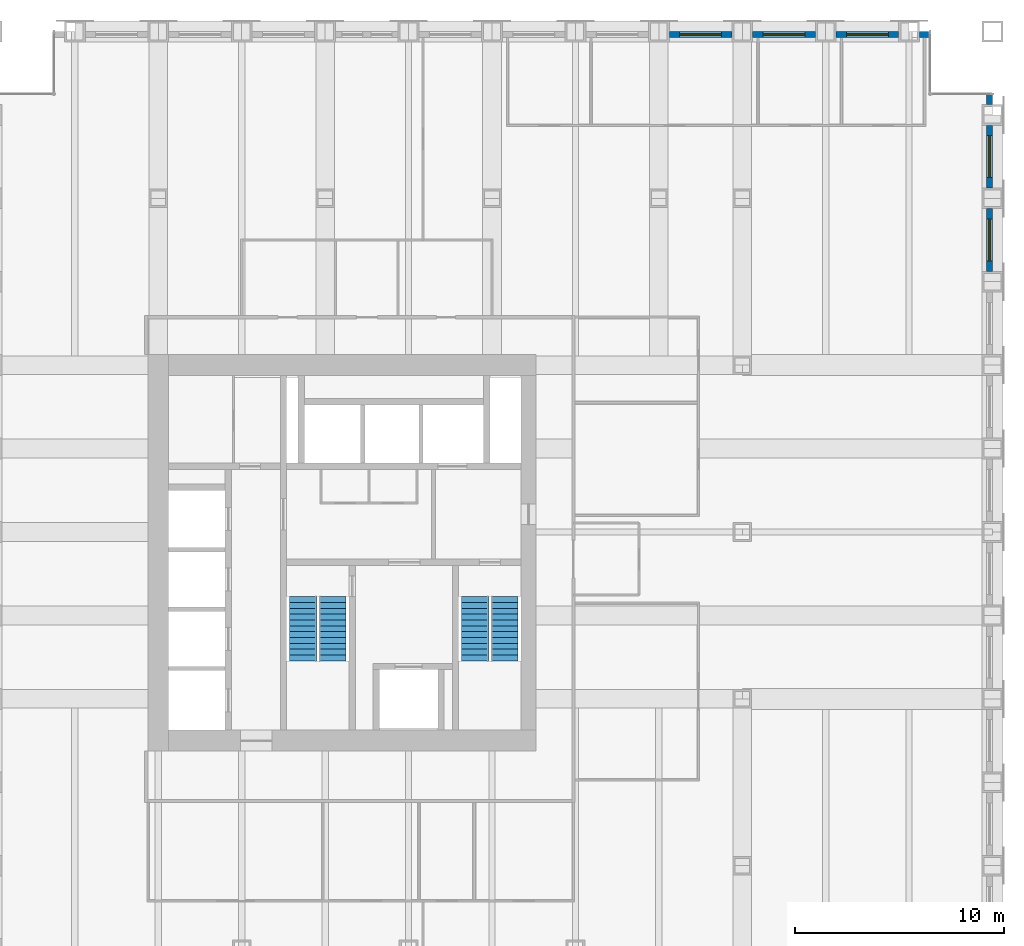
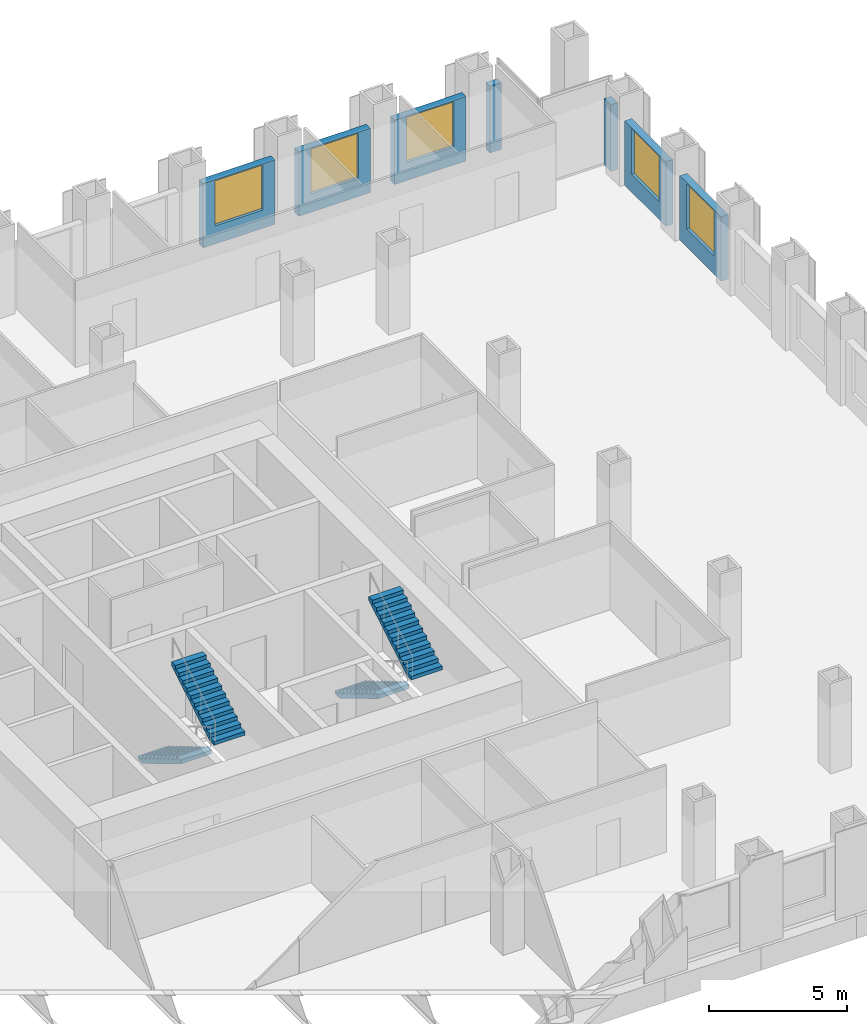
# One storey, part 14 of 15: 7 walls, 5 windows, 4 stair flights, 5 openings, 2 elements without a shape of their own.
"""IFC4 building model written with IfcOpenShell, lengths in metres."""

from ifc_helpers import new_model, si_unit, direction, frame, frame_2d, origin, place, context, subcontext, project, spatial, polyline, rectangle, outline, extrude, material, layer, layer_set, type_object, element, fill, aggregate, save


model = new_model("IFC4")

# Units and contexts
model_context = context("Model", 3, precision=1e-05, world=origin(), true_north=direction((0.0, 1.0)))
body_context = subcontext(model_context, "Body", "Model", "MODEL_VIEW")
ifc_project = project(units=[si_unit("LENGTHUNIT", "METRE"), si_unit("AREAUNIT", "SQUARE_METRE"), si_unit("VOLUMEUNIT", "CUBIC_METRE"), si_unit("PLANEANGLEUNIT", "RADIAN"), si_unit("MASSUNIT", "GRAM", prefix="KILO")], contexts=[model_context])

# Site, building, storey
site_placement = place(None, origin())
site = spatial("IfcSite", under=ifc_project, at=site_placement, CompositionType="ELEMENT")
building_placement = place(site_placement, origin())
building = spatial("IfcBuilding", under=site, at=building_placement, Name="Rimbunsela Tower", CompositionType="ELEMENT")
storey_placement = place(building_placement, frame((0.0, 0.0, 117.39990234375)))
storey = spatial("IfcBuildingStorey", under=building, at=storey_placement, Name="L28", CompositionType="ELEMENT", Elevation=117.39990234375)

# Wall, opening, window
ifc_material_1 = material(Name="Precast concrete fc' 35 MPa", Category="concrete")
ifc_layer = layer(ifc_material_1, 0.300048828125)
ifc_layer_set = layer_set([ifc_layer], Name="Precast concrete fc' 35 MPa")
wall_type = type_object("IfcWallType", Name="Precast facade panel 300", PredefinedType="ELEMENTEDWALL", material=ifc_layer_set)
wall_1_placement = place(storey_placement, frame((57.85009765625, 40.5, 0.0), z_axis=(0.0, 0.0, 1.0), x_axis=(0.0, 1.0, 0.0)))
wall_1 = element("IfcWall", 1, at=wall_1_placement, inside=storey, type_object=wall_type, Name="Facade panel E L28", PredefinedType="ELEMENTEDWALL", context=body_context, shape_type="SweptSolid", body=[
    extrude(rectangle(XDim=3.0, YDim=0.300048828125, at=frame_2d((1.5, 0.0))), origin(), (0.0, 0.0, 1.0), 2.85009765625),
])
opening_1_placement = place(wall_1_placement, frame((0.5, 0.0, 0.800048828125)))
opening_1 = element("IfcOpeningElement", 2, at=opening_1_placement, cuts=wall_1, Name="Opening W1", PredefinedType="OPENING", context=body_context, shape_type="SweptSolid", body=[
    extrude(rectangle(XDim=2.0, YDim=2.0, at=frame_2d((1.0, 1.0))), frame((0.0, 0.159912109375, 0.0), z_axis=(0.0, -1.0, 0.0), x_axis=(1.0, 0.0, 0.0)), (0.0, 0.0, 1.0), 0.320068359375),
])
ifc_material_2 = material(Name="Clear glass in aluminium frame", Category="aluminium")
window_type = type_object("IfcWindowType", Name="Window W1 2000x2000", PartitioningType="DOUBLE_PANEL_VERTICAL", PredefinedType="WINDOW", material=ifc_material_2)
window_1_placement = place(opening_1_placement, origin())
window_1 = element("IfcWindow", 3, at=window_1_placement, inside=storey, type_object=window_type, Name="Window L28", OverallHeight=2.0, OverallWidth=2.0, PartitioningType="SINGLE_PANEL", PredefinedType="WINDOW", context=body_context, shape_type="SweptSolid", body=[
    extrude(rectangle(XDim=2.0, YDim=2.0, at=frame_2d((1.0, 1.0))), frame((0.0, 0.030029296875, 0.0), z_axis=(0.0, -1.0, 0.0), x_axis=(1.0, 0.0, 0.0)), (0.0, 0.0, 1.0), 0.06005859375),
])
fill(opening_1, window_1)

wall_2_placement = place(storey_placement, frame((57.85009765625, 44.5, 0.0), z_axis=(0.0, 0.0, 1.0), x_axis=(0.0, 1.0, 0.0)))
wall_2 = element("IfcWall", 4, at=wall_2_placement, inside=storey, type_object=wall_type, Name="Facade panel E L28", PredefinedType="ELEMENTEDWALL", context=body_context, shape_type="SweptSolid", body=[
    extrude(rectangle(XDim=3.0, YDim=0.300048828125, at=frame_2d((1.5, 0.0))), origin(), (0.0, 0.0, 1.0), 2.85009765625),
])
opening_2_placement = place(wall_2_placement, frame((0.5, 0.0, 0.800048828125)))
opening_2 = element("IfcOpeningElement", 5, at=opening_2_placement, cuts=wall_2, Name="Opening W1", PredefinedType="OPENING", context=body_context, shape_type="SweptSolid", body=[
    extrude(rectangle(XDim=2.0, YDim=2.0, at=frame_2d((1.0, 1.0))), frame((0.0, 0.159912109375, 0.0), z_axis=(0.0, -1.0, 0.0), x_axis=(1.0, 0.0, 0.0)), (0.0, 0.0, 1.0), 0.320068359375),
])
window_2_placement = place(opening_2_placement, origin())
window_2 = element("IfcWindow", 6, at=window_2_placement, inside=storey, type_object=window_type, Name="Window L28", OverallHeight=2.0, OverallWidth=2.0, PartitioningType="SINGLE_PANEL", PredefinedType="WINDOW", context=body_context, shape_type="SweptSolid", body=[
    extrude(rectangle(XDim=2.0, YDim=2.0, at=frame_2d((1.0, 1.0))), frame((0.0, 0.030029296875, 0.0), z_axis=(0.0, -1.0, 0.0), x_axis=(1.0, 0.0, 0.0)), (0.0, 0.0, 1.0), 0.06005859375),
])
fill(opening_2, window_2)

# Wall
wall_3_placement = place(storey_placement, frame((57.85009765625, 48.5, 0.0), z_axis=(0.0, 0.0, 1.0), x_axis=(0.0, 1.0, 0.0)))
element("IfcWall", 7, at=wall_3_placement, inside=storey, type_object=wall_type, Name="Facade panel E L28", PredefinedType="ELEMENTEDWALL", context=body_context, shape_type="SweptSolid", body=[
    extrude(rectangle(XDim=0.469970703125, YDim=0.300048828125, at=frame_2d((0.23486328125, 0.0))), origin(), (0.0, 0.0, 1.0), 2.9501953125),
])

# Wall, opening, window
wall_4_placement = place(storey_placement, frame((45.5, 51.85009765625, 0.0), z_axis=(0.0, 0.0, 1.0), x_axis=(-1.0, 0.0, 0.0)))
wall_4 = element("IfcWall", 8, at=wall_4_placement, inside=storey, type_object=wall_type, Name="Facade panel N L28", PredefinedType="ELEMENTEDWALL", context=body_context, shape_type="SweptSolid", body=[
    extrude(rectangle(XDim=3.0, YDim=0.300048828125, at=frame_2d((1.5, 0.0))), origin(), (0.0, 0.0, 1.0), 2.85009765625),
])
opening_3_placement = place(wall_4_placement, frame((0.5, 0.0, 0.800048828125)))
opening_3 = element("IfcOpeningElement", 9, at=opening_3_placement, cuts=wall_4, Name="Opening W1", PredefinedType="OPENING", context=body_context, shape_type="SweptSolid", body=[
    extrude(rectangle(XDim=2.0, YDim=2.0, at=frame_2d((1.0, 1.0))), frame((0.0, 0.159912109375, 0.0), z_axis=(0.0, -1.0, 0.0), x_axis=(1.0, 0.0, 0.0)), (0.0, 0.0, 1.0), 0.320068359375),
])
window_3_placement = place(opening_3_placement, origin())
window_3 = element("IfcWindow", 10, at=window_3_placement, inside=storey, type_object=window_type, Name="Window L28", OverallHeight=2.0, OverallWidth=2.0, PartitioningType="SINGLE_PANEL", PredefinedType="WINDOW", context=body_context, shape_type="SweptSolid", body=[
    extrude(rectangle(XDim=2.0, YDim=2.0, at=frame_2d((1.0, 1.0))), frame((0.0, 0.030029296875, 0.0), z_axis=(0.0, -1.0, 0.0), x_axis=(1.0, 0.0, 0.0)), (0.0, 0.0, 1.0), 0.06005859375),
])
fill(opening_3, window_3)

wall_5_placement = place(storey_placement, frame((49.5, 51.85009765625, 0.0), z_axis=(0.0, 0.0, 1.0), x_axis=(-1.0, 0.0, 0.0)))
wall_5 = element("IfcWall", 11, at=wall_5_placement, inside=storey, type_object=wall_type, Name="Facade panel N L28", PredefinedType="ELEMENTEDWALL", context=body_context, shape_type="SweptSolid", body=[
    extrude(rectangle(XDim=3.0, YDim=0.300048828125, at=frame_2d((1.5, 0.0))), origin(), (0.0, 0.0, 1.0), 2.85009765625),
])
opening_4_placement = place(wall_5_placement, frame((0.5, 0.0, 0.800048828125)))
opening_4 = element("IfcOpeningElement", 12, at=opening_4_placement, cuts=wall_5, Name="Opening W1", PredefinedType="OPENING", context=body_context, shape_type="SweptSolid", body=[
    extrude(rectangle(XDim=2.0, YDim=2.0, at=frame_2d((1.0, 1.0))), frame((0.0, 0.159912109375, 0.0), z_axis=(0.0, -1.0, 0.0), x_axis=(1.0, 0.0, 0.0)), (0.0, 0.0, 1.0), 0.320068359375),
])
window_4_placement = place(opening_4_placement, origin())
window_4 = element("IfcWindow", 13, at=window_4_placement, inside=storey, type_object=window_type, Name="Window L28", OverallHeight=2.0, OverallWidth=2.0, PartitioningType="SINGLE_PANEL", PredefinedType="WINDOW", context=body_context, shape_type="SweptSolid", body=[
    extrude(rectangle(XDim=2.0, YDim=2.0, at=frame_2d((1.0, 1.0))), frame((0.0, 0.030029296875, 0.0), z_axis=(0.0, -1.0, 0.0), x_axis=(1.0, 0.0, 0.0)), (0.0, 0.0, 1.0), 0.06005859375),
])
fill(opening_4, window_4)

wall_6_placement = place(storey_placement, frame((53.5, 51.85009765625, 0.0), z_axis=(0.0, 0.0, 1.0), x_axis=(-1.0, 0.0, 0.0)))
wall_6 = element("IfcWall", 14, at=wall_6_placement, inside=storey, type_object=wall_type, Name="Facade panel N L28", PredefinedType="ELEMENTEDWALL", context=body_context, shape_type="SweptSolid", body=[
    extrude(rectangle(XDim=3.0, YDim=0.300048828125, at=frame_2d((1.5, 0.0))), origin(), (0.0, 0.0, 1.0), 2.85009765625),
])
opening_5_placement = place(wall_6_placement, frame((0.5, 0.0, 0.800048828125)))
opening_5 = element("IfcOpeningElement", 15, at=opening_5_placement, cuts=wall_6, Name="Opening W1", PredefinedType="OPENING", context=body_context, shape_type="SweptSolid", body=[
    extrude(rectangle(XDim=2.0, YDim=2.0, at=frame_2d((1.0, 1.0))), frame((0.0, 0.159912109375, 0.0), z_axis=(0.0, -1.0, 0.0), x_axis=(1.0, 0.0, 0.0)), (0.0, 0.0, 1.0), 0.320068359375),
])
window_5_placement = place(opening_5_placement, origin())
window_5 = element("IfcWindow", 16, at=window_5_placement, inside=storey, type_object=window_type, Name="Window L28", OverallHeight=2.0, OverallWidth=2.0, PartitioningType="SINGLE_PANEL", PredefinedType="WINDOW", context=body_context, shape_type="SweptSolid", body=[
    extrude(rectangle(XDim=2.0, YDim=2.0, at=frame_2d((1.0, 1.0))), frame((0.0, 0.030029296875, 0.0), z_axis=(0.0, -1.0, 0.0), x_axis=(1.0, 0.0, 0.0)), (0.0, 0.0, 1.0), 0.06005859375),
])
fill(opening_5, window_5)

# Wall
wall_7_placement = place(storey_placement, frame((54.969970703125, 51.85009765625, 0.0), z_axis=(0.0, 0.0, 1.0), x_axis=(-1.0, 0.0, 0.0)))
element("IfcWall", 17, at=wall_7_placement, inside=storey, type_object=wall_type, Name="Facade panel N L28", PredefinedType="ELEMENTEDWALL", context=body_context, shape_type="SweptSolid", body=[
    extrude(rectangle(XDim=0.469970703125, YDim=0.300048828125, at=frame_2d((0.23486328125, 0.0))), origin(), (0.0, 0.0, 1.0), 2.9501953125),
])

# Stair, stair flights
ifc_material_3 = material(Name="Concrete fc' 35 MPa", Category="concrete")
stair_type = type_object("IfcStairType", Name="Exit stair 24 risers", PredefinedType="HALF_TURN_STAIR", material=ifc_material_3)
stair_1_placement = place(storey_placement, origin())
stair_1 = element("IfcStair", 18, at=stair_1_placement, inside=storey, type_object=stair_type, Name="Exit stair A L28", PredefinedType="HALF_TURN_STAIR")
ifc_material_4 = material(Name="Concrete fc' 35 MPa", Category="concrete")
stair_flight_type = type_object("IfcStairFlightType", Name="Stair flight 12 risers 167", PredefinedType="STRAIGHT", material=ifc_material_4)
stair_flight_1_placement = place(storey_placement, frame((24.949951171875, 24.89990234375, 0.0), z_axis=(0.0, 0.0, 1.0), x_axis=(0.0, -1.0, 0.0)))
stair_flight_1 = element("IfcStairFlight", 19, at=stair_flight_1_placement, type_object=stair_flight_type, Name="ST-A flight 1", NumberOfRisers=12, NumberOfTreads=11, PredefinedType="STRAIGHT", RiserHeight=0.166666667, TreadLength=0.28, context=body_context, shape_type="SweptSolid", body=[
    extrude(outline(polyline([(0.0, 0.0), (0.0, 0.166748046875), (0.280029296875, 0.166748046875), (0.280029296875, 0.333251953125), (0.56005859375, 0.333251953125), (0.56005859375, 0.5), (0.840087890625, 0.5), (0.840087890625, 0.666748046875), (1.1201171875, 0.666748046875), (1.1201171875, 0.833251953125), (1.39990234375, 0.833251953125), (1.39990234375, 1.0), (1.679931640625, 1.0), (1.679931640625, 1.166748046875), (1.9599609375, 1.166748046875), (1.9599609375, 1.333251953125), (2.239990234375, 1.333251953125), (2.239990234375, 1.5), (2.52001953125, 1.5), (2.52001953125, 1.666748046875), (2.800048828125, 1.666748046875), (2.800048828125, 1.833251953125), (3.080078125, 1.833251953125), (3.080078125, 2.0), (3.080078125, 1.658935546875), (0.29296875, 0.0), (0.0, 0.0)])), frame((0.0, 0.64990234375, 0.0), z_axis=(0.0, -1.0, 0.0), x_axis=(1.0, 0.0, 0.0)), (0.0, 0.0, 1.0), 1.300048828125),
])
stair_flight_2_placement = place(storey_placement, frame((26.35009765625, 21.820068359375, 2.0), z_axis=(0.0, 0.0, 1.0), x_axis=(0.0, 1.0, 0.0)))
stair_flight_2 = element("IfcStairFlight", 20, at=stair_flight_2_placement, type_object=stair_flight_type, Name="ST-A flight 2", NumberOfRisers=12, NumberOfTreads=11, PredefinedType="STRAIGHT", RiserHeight=0.166666667, TreadLength=0.28, context=body_context, shape_type="SweptSolid", body=[
    extrude(outline(polyline([(0.0, 0.0), (0.0, 0.166748046875), (0.280029296875, 0.166748046875), (0.280029296875, 0.333251953125), (0.56005859375, 0.333251953125), (0.56005859375, 0.5), (0.840087890625, 0.5), (0.840087890625, 0.666748046875), (1.1201171875, 0.666748046875), (1.1201171875, 0.833251953125), (1.39990234375, 0.833251953125), (1.39990234375, 1.0), (1.679931640625, 1.0), (1.679931640625, 1.166748046875), (1.9599609375, 1.166748046875), (1.9599609375, 1.333251953125), (2.239990234375, 1.333251953125), (2.239990234375, 1.5), (2.52001953125, 1.5), (2.52001953125, 1.666748046875), (2.800048828125, 1.666748046875), (2.800048828125, 1.833251953125), (3.080078125, 1.833251953125), (3.080078125, 2.0), (3.080078125, 1.658935546875), (0.29296875, 0.0), (0.0, 0.0)])), frame((0.0, 0.64990234375, 0.0), z_axis=(0.0, -1.0, 0.0), x_axis=(1.0, 0.0, 0.0)), (0.0, 0.0, 1.0), 1.300048828125),
])
aggregate(stair_1, [stair_flight_1, stair_flight_2])

stair_2_placement = place(storey_placement, origin())
stair_2 = element("IfcStair", 21, at=stair_2_placement, inside=storey, type_object=stair_type, Name="Exit stair B L28", PredefinedType="HALF_TURN_STAIR")
stair_flight_3_placement = place(storey_placement, frame((33.199951171875, 24.89990234375, 0.0), z_axis=(0.0, 0.0, 1.0), x_axis=(0.0, -1.0, 0.0)))
stair_flight_3 = element("IfcStairFlight", 22, at=stair_flight_3_placement, type_object=stair_flight_type, Name="ST-B flight 1", NumberOfRisers=12, NumberOfTreads=11, PredefinedType="STRAIGHT", RiserHeight=0.166666667, TreadLength=0.28, context=body_context, shape_type="SweptSolid", body=[
    extrude(outline(polyline([(0.0, 0.0), (0.0, 0.166748046875), (0.280029296875, 0.166748046875), (0.280029296875, 0.333251953125), (0.56005859375, 0.333251953125), (0.56005859375, 0.5), (0.840087890625, 0.5), (0.840087890625, 0.666748046875), (1.1201171875, 0.666748046875), (1.1201171875, 0.833251953125), (1.39990234375, 0.833251953125), (1.39990234375, 1.0), (1.679931640625, 1.0), (1.679931640625, 1.166748046875), (1.9599609375, 1.166748046875), (1.9599609375, 1.333251953125), (2.239990234375, 1.333251953125), (2.239990234375, 1.5), (2.52001953125, 1.5), (2.52001953125, 1.666748046875), (2.800048828125, 1.666748046875), (2.800048828125, 1.833251953125), (3.080078125, 1.833251953125), (3.080078125, 2.0), (3.080078125, 1.658935546875), (0.29296875, 0.0), (0.0, 0.0)])), frame((0.0, 0.64990234375, 0.0), z_axis=(0.0, -1.0, 0.0), x_axis=(1.0, 0.0, 0.0)), (0.0, 0.0, 1.0), 1.300048828125),
])
stair_flight_4_placement = place(storey_placement, frame((34.60009765625, 21.820068359375, 2.0), z_axis=(0.0, 0.0, 1.0), x_axis=(0.0, 1.0, 0.0)))
stair_flight_4 = element("IfcStairFlight", 23, at=stair_flight_4_placement, type_object=stair_flight_type, Name="ST-B flight 2", NumberOfRisers=12, NumberOfTreads=11, PredefinedType="STRAIGHT", RiserHeight=0.166666667, TreadLength=0.28, context=body_context, shape_type="SweptSolid", body=[
    extrude(outline(polyline([(0.0, 0.0), (0.0, 0.166748046875), (0.280029296875, 0.166748046875), (0.280029296875, 0.333251953125), (0.56005859375, 0.333251953125), (0.56005859375, 0.5), (0.840087890625, 0.5), (0.840087890625, 0.666748046875), (1.1201171875, 0.666748046875), (1.1201171875, 0.833251953125), (1.39990234375, 0.833251953125), (1.39990234375, 1.0), (1.679931640625, 1.0), (1.679931640625, 1.166748046875), (1.9599609375, 1.166748046875), (1.9599609375, 1.333251953125), (2.239990234375, 1.333251953125), (2.239990234375, 1.5), (2.52001953125, 1.5), (2.52001953125, 1.666748046875), (2.800048828125, 1.666748046875), (2.800048828125, 1.833251953125), (3.080078125, 1.833251953125), (3.080078125, 2.0), (3.080078125, 1.658935546875), (0.29296875, 0.0), (0.0, 0.0)])), frame((0.0, 0.64990234375, 0.0), z_axis=(0.0, -1.0, 0.0), x_axis=(1.0, 0.0, 0.0)), (0.0, 0.0, 1.0), 1.300048828125),
])
aggregate(stair_2, [stair_flight_3, stair_flight_4])

save(model, "model.ifc")
